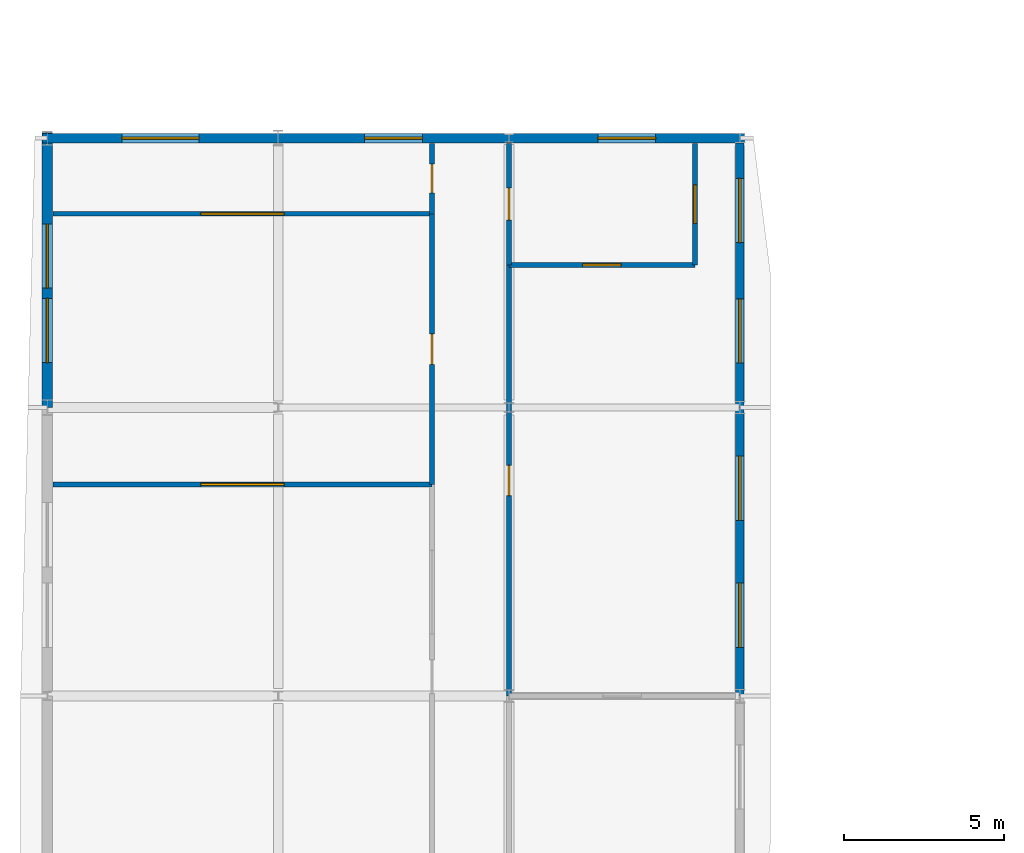
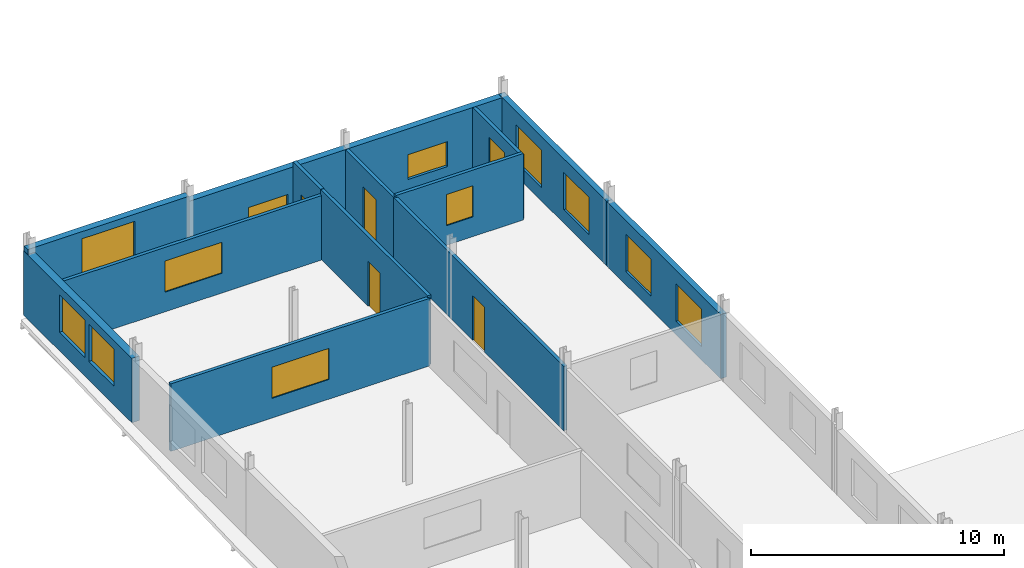
# One storey, part 65 of 78: 14 walls, 13 windows, 4 doors, 17 openings.
"""IFC4 building model written with IfcOpenShell, lengths in metres."""

import ifcopenshell
import ifcopenshell.guid

model = None  # the IFC model being written
_history = None  # IfcOwnerHistory: only IFC2X3 demands one
_inside = {}  # id of a spatial element -> (the spatial element, [elements in it])
_under = {}  # id of a project, library or spatial element -> (it, [spatial elements below it])
_declared = {}  # id of a project -> (the project, [libraries it declares])
_typed = {}  # id of a type object -> (the type object, [elements of that type])
_made_of = {}  # id of a material, layer set ... -> (it, [elements and type objects made of it])


def new_model(schema):
    """Start an empty IFC model of exactly this schema.

    Asked for "IFC4X3", IfcOpenShell would pick the latest addendum, in which some entities
    have other attributes; the version numbers below select the first issue.
    IFC2X3 requires an IfcOwnerHistory on every rooted entity: one is made here for all.
    """
    global model, _history
    if schema == "IFC4X3":
        model = ifcopenshell.file(schema_version=(4, 3, 0, 0))
    else:
        model = ifcopenshell.file(schema=schema)
    _inside.clear()
    _under.clear()
    _declared.clear()
    _typed.clear()
    _made_of.clear()
    _history = None
    if model.schema == "IFC2X3":
        org = make("IfcOrganization", Name="unknown")
        user = make(
            "IfcPersonAndOrganization",
            ThePerson=make("IfcPerson", FamilyName="unknown"),
            TheOrganization=org,
        )
        app = make(
            "IfcApplication",
            ApplicationDeveloper=org,
            Version="unknown",
            ApplicationFullName="unknown",
            ApplicationIdentifier="unknown",
        )
        _history = make(
            "IfcOwnerHistory",
            OwningUser=user,
            OwningApplication=app,
            ChangeAction="ADDED",
            CreationDate=0,
        )
    return model


def make(cls, **values):
    """One entity of the class cls with the attributes given. An attribute that is None is left unset."""
    return model.create_entity(
        cls, **{name: value for name, value in values.items() if value is not None}
    )


def rooted(cls, **values):
    """An entity with a GlobalId (a new one), such as an element, a storey or a relation."""
    return make(cls, GlobalId=ifcopenshell.guid.new(), OwnerHistory=_history, **values)


def si_unit(unit_type, name, prefix=None):
    """IfcSIUnit, for example si_unit("LENGTHUNIT", "METRE", prefix="MILLI")."""
    return make("IfcSIUnit", UnitType=unit_type, Prefix=prefix, Name=name)


def assignment(units):
    """IfcUnitAssignment: the units of a project."""
    return None if units is None else make("IfcUnitAssignment", Units=units)


def point(xyz):
    """IfcCartesianPoint."""
    return None if xyz is None else make("IfcCartesianPoint", Coordinates=xyz)


def direction(xyz):
    """IfcDirection."""
    return None if xyz is None else make("IfcDirection", DirectionRatios=xyz)


def frame(location, z_axis=None, x_axis=None):
    """IfcAxis2Placement3D, a coordinate frame: its origin and axes. An axis left out is left unset."""
    return make(
        "IfcAxis2Placement3D",
        Location=point(location),
        Axis=direction(z_axis),
        RefDirection=direction(x_axis),
    )


def frame_2d(location, x_axis=None):
    """IfcAxis2Placement2D, a coordinate frame in the plane: its origin and x axis."""
    return make(
        "IfcAxis2Placement2D", Location=point(location), RefDirection=direction(x_axis)
    )


def origin():
    """The frame at (0, 0, 0) with its axes left unset."""
    return frame((0.0, 0.0, 0.0))


def place(relative_to, where):
    """IfcLocalPlacement: puts the frame where relative to a parent placement (None: the world)."""
    return make(
        "IfcLocalPlacement", PlacementRelTo=relative_to, RelativePlacement=where
    )


def context(
    kind, dimensions, precision=None, world=None, true_north=None, identifier=None
):
    """IfcGeometricRepresentationContext, for example the 3D "Model" context."""
    return make(
        "IfcGeometricRepresentationContext",
        ContextIdentifier=identifier,
        ContextType=kind,
        CoordinateSpaceDimension=dimensions,
        Precision=precision,
        WorldCoordinateSystem=world,
        TrueNorth=true_north,
    )


def subcontext(parent, identifier, kind, view, scale=None):
    """IfcGeometricRepresentationSubContext, for example "Body" below "Model"."""
    return make(
        "IfcGeometricRepresentationSubContext",
        ContextIdentifier=identifier,
        ContextType=kind,
        ParentContext=parent,
        TargetScale=scale,
        TargetView=view,
    )


def project(units=None, contexts=None):
    """IfcProject with its units and contexts."""
    return rooted(
        "IfcProject",
        Name="project",
        RepresentationContexts=contexts,
        UnitsInContext=assignment(units),
    )


def spatial(cls, under=None, at=None, **own):
    """A site, building, storey or space (cls), placed at a placement, below another one or the project."""
    s = rooted(cls, ObjectPlacement=at, **own)
    if under is not None:
        _under.setdefault(under.id(), (under, []))[1].append(s)
    return s


def profile(cls, at=None, kind="AREA", **sizes):
    """A parametric profile (cls). Its sizes go by their IFC names, for example OverallWidth=200.0."""
    return make(cls, ProfileType=kind, Position=at, **sizes)


def rectangle(**sizes):
    """IfcRectangleProfileDef."""
    return profile("IfcRectangleProfileDef", **sizes)


def extrude(swept, where, along, depth):
    """IfcExtrudedAreaSolid: the profile swept, set in the frame where, extruded along a direction by depth."""
    return make(
        "IfcExtrudedAreaSolid",
        SweptArea=swept,
        Position=where,
        ExtrudedDirection=direction(along),
        Depth=depth,
    )


def shape(context_of_items, identifier, shape_type, items):
    """IfcShapeRepresentation: the items that make up one representation, for example the "Body"."""
    return make(
        "IfcShapeRepresentation",
        ContextOfItems=context_of_items,
        RepresentationIdentifier=identifier,
        RepresentationType=shape_type,
        Items=items,
    )


def material(Name=None, Category=None):
    """IfcMaterial."""
    return make("IfcMaterial", Name=Name, Category=Category)


def layer(
    of_material, thickness, ventilated=None, Name=None, Category=None, Priority=None
):
    """IfcMaterialLayer: one layer of a wall or slab, of a material (None: an air gap)."""
    return make(
        "IfcMaterialLayer",
        Material=of_material,
        LayerThickness=thickness,
        IsVentilated=ventilated,
        Name=Name,
        Category=Category,
        Priority=Priority,
    )


def layer_set(layers, Name=None):
    """IfcMaterialLayerSet."""
    return make("IfcMaterialLayerSet", MaterialLayers=layers, LayerSetName=Name)


def made_of(thing, what):
    """Note that an element or type object is made of a material, layer set ...; save() writes the relation."""
    if what is not None:
        _made_of.setdefault(what.id(), (what, []))[1].append(thing)
    return thing


def type_object(cls, material=None, **own):
    """A type object (cls), such as IfcWallType, which elements share."""
    return made_of(rooted(cls, **own), material)


def element(
    cls,
    number,
    at=None,
    inside=None,
    cuts=None,
    type_object=None,
    material=None,
    context=None,
    identifier="Body",
    shape_type=None,
    held_by="IfcProductDefinitionShape",
    body=None,
    shapes=None,
    **own,
):
    """One element of the class cls, such as IfcWall. Its Tag is "e" and its number.

    at: its placement. inside: the storey or other place that contains it. cuts: it is an
    opening in that element (IfcRelVoidsElement). A single representation is given by context,
    identifier, shape_type and body (its items); several are given by shapes. held_by: the class
    of the entity that holds the representations. save() writes the other relations.
    """
    e = rooted(cls, Tag="e%d" % number, ObjectPlacement=at, **own)
    if body is not None:
        shapes = [shape(context, identifier, shape_type, body)]
    if shapes is not None:
        e.Representation = make(held_by, Representations=shapes)
    if inside is not None:
        _inside.setdefault(inside.id(), (inside, []))[1].append(e)
    if cuts is not None:
        rooted(
            "IfcRelVoidsElement", RelatingBuildingElement=cuts, RelatedOpeningElement=e
        )
    if type_object is not None:
        _typed.setdefault(type_object.id(), (type_object, []))[1].append(e)
    return made_of(e, material)


def fill(opening, filler):
    """IfcRelFillsElement: the door or window that sits in an opening."""
    return rooted(
        "IfcRelFillsElement",
        RelatingOpeningElement=opening,
        RelatedBuildingElement=filler,
    )


def aggregate(whole, parts):
    """IfcRelAggregates: a whole, such as a stair, and the parts it consists of."""
    return rooted("IfcRelAggregates", RelatingObject=whole, RelatedObjects=parts)


def save(model, path):
    """Write the relations noted so far, then the file.

    IfcRelAggregates (storeys below a building ...), IfcRelContainedInSpatialStructure (elements
    in a storey), IfcRelDefinesByType, IfcRelAssociatesMaterial and IfcRelDeclares: one each for
    every whole, place, type object, material and project.
    """
    for whole, parts in _under.values():
        aggregate(whole, parts)
    for where, things in _inside.values():
        rooted(
            "IfcRelContainedInSpatialStructure",
            RelatedElements=things,
            RelatingStructure=where,
        )
    for kind, things in _typed.values():
        rooted("IfcRelDefinesByType", RelatedObjects=things, RelatingType=kind)
    for what, things in _made_of.values():
        rooted("IfcRelAssociatesMaterial", RelatedObjects=things, RelatingMaterial=what)
    for by, libraries in _declared.values():
        rooted("IfcRelDeclares", RelatingContext=by, RelatedDefinitions=libraries)
    model.write(path)


model = new_model("IFC4")

# Units and contexts
model_context = context("Model", 3, precision=1e-05, world=origin(), true_north=direction((0.0, 1.0)))
body_context = subcontext(model_context, "Body", "Model", "MODEL_VIEW")
ifc_project = project(units=[si_unit("LENGTHUNIT", "METRE"), si_unit("AREAUNIT", "SQUARE_METRE"), si_unit("VOLUMEUNIT", "CUBIC_METRE"), si_unit("PLANEANGLEUNIT", "RADIAN"), si_unit("MASSUNIT", "GRAM", prefix="KILO")], contexts=[model_context])

# Site, building, storey
site_placement = place(None, origin())
site = spatial("IfcSite", under=ifc_project, at=site_placement, CompositionType="ELEMENT")
building_placement = place(site_placement, origin())
building = spatial("IfcBuilding", under=site, at=building_placement, Name="Vinh Khe Railworks Police Headquarters", CompositionType="ELEMENT")
storey_placement = place(building_placement, frame((0.0, 0.0, 13.199951171875)))
storey = spatial("IfcBuildingStorey", under=building, at=storey_placement, Name="L03", CompositionType="ELEMENT", Elevation=13.199951171875)

# Wall, openings, windows
ifc_material_1 = material(Name="Clay brickwork", Category="masonry")
ifc_layer_1 = layer(ifc_material_1, 0.260009765625)
ifc_layer_set_1 = layer_set([ifc_layer_1], Name="Clay brickwork")
wall_type_1 = type_object("IfcWallType", Name="EW-BRK-260", PredefinedType="SOLIDWALL", material=ifc_layer_set_1)
wall_1_placement = place(storey_placement, frame((22.199951171875, 113.39990234375, 0.0), z_axis=(0.0, 0.0, 1.0), x_axis=(0.0, 1.0, 0.0)))
wall_1 = element("IfcWall", 1, at=wall_1_placement, inside=storey, type_object=wall_type_1, Name="Exterior Brick Wall EW-L03-V5E-15", PredefinedType="SOLIDWALL", context=body_context, shape_type="SweptSolid", body=[
    extrude(rectangle(XDim=9.0, YDim=0.260009765625, at=frame_2d((4.5, 0.0))), origin(), (0.0, 0.0, 1.0), 3.10498046875),
])
opening_1_placement = place(wall_1_placement, frame((1.52001953125, 0.0, 0.64990234375)))
opening_1 = element("IfcOpeningElement", 2, at=opening_1_placement, cuts=wall_1, Name="Opening WN-04", PredefinedType="OPENING", context=body_context, shape_type="SweptSolid", body=[
    extrude(rectangle(XDim=2.0, YDim=1.800048828125, at=frame_2d((1.0, 0.89990234375))), frame((0.0, 0.14501953125, 0.0), z_axis=(0.0, -1.0, 0.0), x_axis=(1.0, 0.0, 0.0)), (0.0, 0.0, 1.0), 0.289794921875),
])
opening_2_placement = place(wall_1_placement, frame((5.47998046875, 0.0, 0.64990234375)))
opening_2 = element("IfcOpeningElement", 3, at=opening_2_placement, cuts=wall_1, Name="Opening WN-04", PredefinedType="OPENING", context=body_context, shape_type="SweptSolid", body=[
    extrude(rectangle(XDim=2.0, YDim=1.800048828125, at=frame_2d((1.0, 0.89990234375))), frame((0.0, 0.14501953125, 0.0), z_axis=(0.0, -1.0, 0.0), x_axis=(1.0, 0.0, 0.0)), (0.0, 0.0, 1.0), 0.289794921875),
])
ifc_material_2 = material(Name="Double-glazed solar-control glass in dark steel frame", Category="steel")
window_type_1 = type_object("IfcWindowType", Name="WIN-WN-04", PartitioningType="DOUBLE_PANEL_VERTICAL", PredefinedType="WINDOW", material=ifc_material_2)
window_1_placement = place(opening_1_placement, origin())
window_1 = element("IfcWindow", 4, at=window_1_placement, inside=storey, type_object=window_type_1, Name="Casement Window WN-04", OverallHeight=1.800048828125, OverallWidth=2.0, PartitioningType="SINGLE_PANEL", PredefinedType="WINDOW", context=body_context, shape_type="SweptSolid", body=[
    extrude(rectangle(XDim=2.0, YDim=1.800048828125, at=frame_2d((1.0, 0.89990234375))), frame((0.0, 0.030029296875, 0.0), z_axis=(0.0, -1.0, 0.0), x_axis=(1.0, 0.0, 0.0)), (0.0, 0.0, 1.0), 0.06005859375),
])
fill(opening_1, window_1)
window_2_placement = place(opening_2_placement, origin())
window_2 = element("IfcWindow", 5, at=window_2_placement, inside=storey, type_object=window_type_1, Name="Casement Window WN-04", OverallHeight=1.800048828125, OverallWidth=2.0, PartitioningType="SINGLE_PANEL", PredefinedType="WINDOW", context=body_context, shape_type="SweptSolid", body=[
    extrude(rectangle(XDim=2.0, YDim=1.800048828125, at=frame_2d((1.0, 0.89990234375))), frame((0.0, 0.030029296875, 0.0), z_axis=(0.0, -1.0, 0.0), x_axis=(1.0, 0.0, 0.0)), (0.0, 0.0, 1.0), 0.06005859375),
])
fill(opening_2, window_2)

wall_2_placement = place(storey_placement, frame((22.199951171875, 122.39990234375, 0.0), z_axis=(0.0, 0.0, 1.0), x_axis=(0.0, 1.0, 0.0)))
wall_2 = element("IfcWall", 6, at=wall_2_placement, inside=storey, type_object=wall_type_1, Name="Exterior Brick Wall EW-L03-V5E-16", PredefinedType="SOLIDWALL", context=body_context, shape_type="SweptSolid", body=[
    extrude(rectangle(XDim=8.530029296875, YDim=0.260009765625, at=frame_2d((4.26513671875, 0.0))), origin(), (0.0, 0.0, 1.0), 3.10498046875),
])
opening_3_placement = place(wall_2_placement, frame((1.388427734375, 0.0, 0.64990234375)))
opening_3 = element("IfcOpeningElement", 7, at=opening_3_placement, cuts=wall_2, Name="Opening WN-04", PredefinedType="OPENING", context=body_context, shape_type="SweptSolid", body=[
    extrude(rectangle(XDim=2.0, YDim=1.800048828125, at=frame_2d((1.0, 0.89990234375))), frame((0.0, 0.14501953125, 0.0), z_axis=(0.0, -1.0, 0.0), x_axis=(1.0, 0.0, 0.0)), (0.0, 0.0, 1.0), 0.289794921875),
])
opening_4_placement = place(wall_2_placement, frame((5.1416015625, 0.0, 0.64990234375)))
opening_4 = element("IfcOpeningElement", 8, at=opening_4_placement, cuts=wall_2, Name="Opening WN-04", PredefinedType="OPENING", context=body_context, shape_type="SweptSolid", body=[
    extrude(rectangle(XDim=2.0, YDim=1.800048828125, at=frame_2d((1.0, 0.89990234375))), frame((0.0, 0.14501953125, 0.0), z_axis=(0.0, -1.0, 0.0), x_axis=(1.0, 0.0, 0.0)), (0.0, 0.0, 1.0), 0.289794921875),
])
window_3_placement = place(opening_3_placement, origin())
window_3 = element("IfcWindow", 9, at=window_3_placement, inside=storey, type_object=window_type_1, Name="Casement Window WN-04", OverallHeight=1.800048828125, OverallWidth=2.0, PartitioningType="SINGLE_PANEL", PredefinedType="WINDOW", context=body_context, shape_type="SweptSolid", body=[
    extrude(rectangle(XDim=2.0, YDim=1.800048828125, at=frame_2d((1.0, 0.89990234375))), frame((0.0, 0.030029296875, 0.0), z_axis=(0.0, -1.0, 0.0), x_axis=(1.0, 0.0, 0.0)), (0.0, 0.0, 1.0), 0.06005859375),
])
fill(opening_3, window_3)
window_4_placement = place(opening_4_placement, origin())
window_4 = element("IfcWindow", 10, at=window_4_placement, inside=storey, type_object=window_type_1, Name="Casement Window WN-04", OverallHeight=1.800048828125, OverallWidth=2.0, PartitioningType="SINGLE_PANEL", PredefinedType="WINDOW", context=body_context, shape_type="SweptSolid", body=[
    extrude(rectangle(XDim=2.0, YDim=1.800048828125, at=frame_2d((1.0, 0.89990234375))), frame((0.0, 0.030029296875, 0.0), z_axis=(0.0, -1.0, 0.0), x_axis=(1.0, 0.0, 0.0)), (0.0, 0.0, 1.0), 0.06005859375),
])
fill(opening_4, window_4)

# Wall, opening, window
ifc_layer_2 = layer(ifc_material_1, 0.300048828125)
ifc_layer_set_2 = layer_set([ifc_layer_2], Name="Clay brickwork")
wall_type_2 = type_object("IfcWallType", Name="EW-BRK-300", PredefinedType="SOLIDWALL", material=ifc_layer_set_2)
wall_3_placement = place(storey_placement, frame((0.449951171875, 130.800048828125, 0.0), z_axis=(0.0, 0.0, 1.0), x_axis=(1.0, 0.0, 0.0)))
wall_3 = element("IfcWall", 11, at=wall_3_placement, inside=storey, type_object=wall_type_2, Name="Exterior Brick Wall EW-L03-V5N-01", PredefinedType="SOLIDWALL", context=body_context, shape_type="SweptSolid", body=[
    extrude(rectangle(XDim=7.35009765625, YDim=0.300048828125, at=frame_2d((3.675048828125, 0.0))), origin(), (0.0, 0.0, 1.0), 3.344970703125),
])
opening_5_placement = place(wall_3_placement, frame((2.47509765625, 0.0, 0.89990234375)))
opening_5 = element("IfcOpeningElement", 12, at=opening_5_placement, cuts=wall_3, Name="Opening WN-02", PredefinedType="OPENING", context=body_context, shape_type="SweptSolid", body=[
    extrude(rectangle(XDim=2.39990234375, YDim=2.10009765625, at=frame_2d((1.199951171875, 1.050048828125))), frame((0.0, 0.1650390625, 0.0), z_axis=(0.0, -1.0, 0.0), x_axis=(1.0, 0.0, 0.0)), (0.0, 0.0, 1.0), 0.329833984375),
])
window_type_2 = type_object("IfcWindowType", Name="WIN-WN-02", PartitioningType="DOUBLE_PANEL_VERTICAL", PredefinedType="WINDOW", material=ifc_material_2)
window_5_placement = place(opening_5_placement, origin())
window_5 = element("IfcWindow", 13, at=window_5_placement, inside=storey, type_object=window_type_2, Name="Casement Window WN-02", OverallHeight=2.10009765625, OverallWidth=2.39990234375, PartitioningType="SINGLE_PANEL", PredefinedType="WINDOW", context=body_context, shape_type="SweptSolid", body=[
    extrude(rectangle(XDim=2.39990234375, YDim=2.10009765625, at=frame_2d((1.199951171875, 1.050048828125))), frame((0.0, 0.030029296875, 0.0), z_axis=(0.0, -1.0, 0.0), x_axis=(1.0, 0.0, 0.0)), (0.0, 0.0, 1.0), 0.06005859375),
])
fill(opening_5, window_5)

wall_4_placement = place(storey_placement, frame((7.800048828125, 130.800048828125, 0.0), z_axis=(0.0, 0.0, 1.0), x_axis=(1.0, 0.0, 0.0)))
wall_4 = element("IfcWall", 14, at=wall_4_placement, inside=storey, type_object=wall_type_2, Name="Exterior Brick Wall EW-L03-V5N-02", PredefinedType="SOLIDWALL", context=body_context, shape_type="SweptSolid", body=[
    extrude(rectangle(XDim=7.199951171875, YDim=0.300048828125, at=frame_2d((3.60009765625, 0.0))), origin(), (0.0, 0.0, 1.0), 3.094970703125),
])
opening_6_placement = place(wall_4_placement, frame((2.699951171875, 0.0, 0.64990234375)))
opening_6 = element("IfcOpeningElement", 15, at=opening_6_placement, cuts=wall_4, Name="Opening WN-08", PredefinedType="OPENING", context=body_context, shape_type="SweptSolid", body=[
    extrude(rectangle(XDim=1.800048828125, YDim=1.199951171875, at=frame_2d((0.89990234375, 0.60009765625))), frame((0.0, 0.1650390625, 0.0), z_axis=(0.0, -1.0, 0.0), x_axis=(1.0, 0.0, 0.0)), (0.0, 0.0, 1.0), 0.329833984375),
])
window_type_3 = type_object("IfcWindowType", Name="WIN-WN-08", PartitioningType="SINGLE_PANEL", PredefinedType="WINDOW", material=ifc_material_2)
window_6_placement = place(opening_6_placement, origin())
window_6 = element("IfcWindow", 16, at=window_6_placement, inside=storey, type_object=window_type_3, Name="Casement Window WN-08", OverallHeight=1.199951171875, OverallWidth=1.800048828125, PartitioningType="SINGLE_PANEL", PredefinedType="WINDOW", context=body_context, shape_type="SweptSolid", body=[
    extrude(rectangle(XDim=1.800048828125, YDim=1.199951171875, at=frame_2d((0.89990234375, 0.60009765625))), frame((0.0, 0.030029296875, 0.0), z_axis=(0.0, -1.0, 0.0), x_axis=(1.0, 0.0, 0.0)), (0.0, 0.0, 1.0), 0.06005859375),
])
fill(opening_6, window_6)

wall_5_placement = place(storey_placement, frame((15.0, 130.800048828125, 0.0), z_axis=(0.0, 0.0, 1.0), x_axis=(1.0, 0.0, 0.0)))
wall_5 = element("IfcWall", 17, at=wall_5_placement, inside=storey, type_object=wall_type_2, Name="Exterior Brick Wall EW-L03-V5N-03", PredefinedType="SOLIDWALL", context=body_context, shape_type="SweptSolid", body=[
    extrude(rectangle(XDim=7.35009765625, YDim=0.300048828125, at=frame_2d((3.675048828125, 0.0))), origin(), (0.0, 0.0, 1.0), 3.094970703125),
])
opening_7_placement = place(wall_5_placement, frame((2.77490234375, 0.0, 0.64990234375)))
opening_7 = element("IfcOpeningElement", 18, at=opening_7_placement, cuts=wall_5, Name="Opening WN-08", PredefinedType="OPENING", context=body_context, shape_type="SweptSolid", body=[
    extrude(rectangle(XDim=1.800048828125, YDim=1.199951171875, at=frame_2d((0.89990234375, 0.60009765625))), frame((0.0, 0.1650390625, 0.0), z_axis=(0.0, -1.0, 0.0), x_axis=(1.0, 0.0, 0.0)), (0.0, 0.0, 1.0), 0.329833984375),
])
window_7_placement = place(opening_7_placement, origin())
window_7 = element("IfcWindow", 19, at=window_7_placement, inside=storey, type_object=window_type_3, Name="Casement Window WN-08", OverallHeight=1.199951171875, OverallWidth=1.800048828125, PartitioningType="SINGLE_PANEL", PredefinedType="WINDOW", context=body_context, shape_type="SweptSolid", body=[
    extrude(rectangle(XDim=1.800048828125, YDim=1.199951171875, at=frame_2d((0.89990234375, 0.60009765625))), frame((0.0, 0.030029296875, 0.0), z_axis=(0.0, -1.0, 0.0), x_axis=(1.0, 0.0, 0.0)), (0.0, 0.0, 1.0), 0.06005859375),
])
fill(opening_7, window_7)

# Wall, openings, windows
ifc_layer_3 = layer(ifc_material_1, 0.340087890625)
ifc_layer_set_3 = layer_set([ifc_layer_3], Name="Clay brickwork")
wall_type_3 = type_object("IfcWallType", Name="EW-BRK-340", PredefinedType="SOLIDWALL", material=ifc_layer_set_3)
wall_6_placement = place(storey_placement, frame((0.60009765625, 122.39990234375, 0.0), z_axis=(0.0, 0.0, 1.0), x_axis=(0.0, 1.0, 0.0)))
wall_6 = element("IfcWall", 20, at=wall_6_placement, inside=storey, type_object=wall_type_3, Name="Exterior Brick Wall EW-L03-V5W-16", PredefinedType="SOLIDWALL", context=body_context, shape_type="SweptSolid", body=[
    extrude(rectangle(XDim=8.570068359375, YDim=0.340087890625, at=frame_2d((4.28515625, 0.0))), origin(), (0.0, 0.0, 1.0), 3.10498046875),
])
opening_8_placement = place(wall_6_placement, frame((1.399658203125, 0.0, 0.89990234375)))
opening_8 = element("IfcOpeningElement", 21, at=opening_8_placement, cuts=wall_6, Name="Opening WN-04", PredefinedType="OPENING", context=body_context, shape_type="SweptSolid", body=[
    extrude(rectangle(XDim=2.0, YDim=1.800048828125, at=frame_2d((1.0, 0.89990234375))), frame((0.0, 0.18505859375, 0.0), z_axis=(0.0, -1.0, 0.0), x_axis=(1.0, 0.0, 0.0)), (0.0, 0.0, 1.0), 0.369873046875),
])
opening_9_placement = place(wall_6_placement, frame((3.720458984375, 0.0, 0.89990234375)))
opening_9 = element("IfcOpeningElement", 22, at=opening_9_placement, cuts=wall_6, Name="Opening WN-04", PredefinedType="OPENING", context=body_context, shape_type="SweptSolid", body=[
    extrude(rectangle(XDim=2.0, YDim=1.800048828125, at=frame_2d((1.0, 0.89990234375))), frame((0.0, 0.18505859375, 0.0), z_axis=(0.0, -1.0, 0.0), x_axis=(1.0, 0.0, 0.0)), (0.0, 0.0, 1.0), 0.369873046875),
])
window_8_placement = place(opening_8_placement, origin())
window_8 = element("IfcWindow", 23, at=window_8_placement, inside=storey, type_object=window_type_1, Name="Casement Window WN-04", OverallHeight=1.800048828125, OverallWidth=2.0, PartitioningType="SINGLE_PANEL", PredefinedType="WINDOW", context=body_context, shape_type="SweptSolid", body=[
    extrude(rectangle(XDim=2.0, YDim=1.800048828125, at=frame_2d((1.0, 0.89990234375))), frame((0.0, 0.030029296875, 0.0), z_axis=(0.0, -1.0, 0.0), x_axis=(1.0, 0.0, 0.0)), (0.0, 0.0, 1.0), 0.06005859375),
])
fill(opening_8, window_8)
window_9_placement = place(opening_9_placement, origin())
window_9 = element("IfcWindow", 24, at=window_9_placement, inside=storey, type_object=window_type_1, Name="Casement Window WN-04", OverallHeight=1.800048828125, OverallWidth=2.0, PartitioningType="SINGLE_PANEL", PredefinedType="WINDOW", context=body_context, shape_type="SweptSolid", body=[
    extrude(rectangle(XDim=2.0, YDim=1.800048828125, at=frame_2d((1.0, 0.89990234375))), frame((0.0, 0.030029296875, 0.0), z_axis=(0.0, -1.0, 0.0), x_axis=(1.0, 0.0, 0.0)), (0.0, 0.0, 1.0), 0.06005859375),
])
fill(opening_9, window_9)

# Wall, opening, window
ifc_material_3 = material(Name="Gypsum plasterboard on steel stud", Category="steel")
ifc_layer_4 = layer(ifc_material_3, 0.1201171875)
ifc_layer_set_4 = layer_set([ifc_layer_4], Name="Gypsum plasterboard on steel stud")
wall_type_4 = type_object("IfcWallType", Name="IW-PART-120", PredefinedType="PARTITIONING", material=ifc_layer_set_4)
wall_7_placement = place(storey_placement, frame((0.780029296875, 128.43994140625, 0.0), z_axis=(0.0, 0.0, 1.0), x_axis=(1.0, 0.0, 0.0)))
wall_7 = element("IfcWall", 25, at=wall_7_placement, inside=storey, type_object=wall_type_4, Name="Interior Partition W-L03-V5-WCL3S-DIV", PredefinedType="PARTITIONING", context=body_context, shape_type="SweptSolid", body=[
    extrude(rectangle(XDim=11.820068359375, YDim=0.14990234375, at=frame_2d((5.91015625, 0.0))), origin(), (0.0, 0.0, 1.0), 3.10498046875),
])
opening_10_placement = place(wall_7_placement, frame((4.610107421875, 0.0, 0.949951171875)))
opening_10 = element("IfcOpeningElement", 26, at=opening_10_placement, cuts=wall_7, Name="Opening WN-07", PredefinedType="OPENING", context=body_context, shape_type="SweptSolid", body=[
    extrude(rectangle(XDim=2.60009765625, YDim=1.5, at=frame_2d((1.300048828125, 0.75))), frame((0.0, 0.08984375, 0.0), z_axis=(0.0, -1.0, 0.0), x_axis=(1.0, 0.0, 0.0)), (0.0, 0.0, 1.0), 0.1796875),
])
window_type_4 = type_object("IfcWindowType", Name="WIN-WN-07", PartitioningType="DOUBLE_PANEL_HORIZONTAL", PredefinedType="WINDOW", material=ifc_material_2)
window_10_placement = place(opening_10_placement, origin())
window_10 = element("IfcWindow", 27, at=window_10_placement, inside=storey, type_object=window_type_4, Name="Interior Acoustic Vision Window WN-07", OverallHeight=1.5, OverallWidth=2.60009765625, PartitioningType="SINGLE_PANEL", PredefinedType="WINDOW", context=body_context, shape_type="SweptSolid", body=[
    extrude(rectangle(XDim=2.60009765625, YDim=1.5, at=frame_2d((1.300048828125, 0.75))), frame((0.0, 0.030029296875, 0.0), z_axis=(0.0, -1.0, 0.0), x_axis=(1.0, 0.0, 0.0)), (0.0, 0.0, 1.0), 0.06005859375),
])
fill(opening_10, window_10)

wall_8_placement = place(storey_placement, frame((0.780029296875, 120.0, 0.0), z_axis=(0.0, 0.0, 1.0), x_axis=(1.0, 0.0, 0.0)))
wall_8 = element("IfcWall", 28, at=wall_8_placement, inside=storey, type_object=wall_type_4, Name="Interior Partition W-L03-V5-WCL3-DIV", PredefinedType="PARTITIONING", context=body_context, shape_type="SweptSolid", body=[
    extrude(rectangle(XDim=11.820068359375, YDim=0.14990234375, at=frame_2d((5.91015625, 0.0))), origin(), (0.0, 0.0, 1.0), 3.255126953125),
])
opening_11_placement = place(wall_8_placement, frame((4.610107421875, 0.0, 0.949951171875)))
opening_11 = element("IfcOpeningElement", 29, at=opening_11_placement, cuts=wall_8, Name="Opening WN-07", PredefinedType="OPENING", context=body_context, shape_type="SweptSolid", body=[
    extrude(rectangle(XDim=2.60009765625, YDim=1.5, at=frame_2d((1.300048828125, 0.75))), frame((0.0, 0.08984375, 0.0), z_axis=(0.0, -1.0, 0.0), x_axis=(1.0, 0.0, 0.0)), (0.0, 0.0, 1.0), 0.1796875),
])
window_11_placement = place(opening_11_placement, origin())
window_11 = element("IfcWindow", 30, at=window_11_placement, inside=storey, type_object=window_type_4, Name="Interior Acoustic Vision Window WN-07", OverallHeight=1.5, OverallWidth=2.60009765625, PartitioningType="SINGLE_PANEL", PredefinedType="WINDOW", context=body_context, shape_type="SweptSolid", body=[
    extrude(rectangle(XDim=2.60009765625, YDim=1.5, at=frame_2d((1.300048828125, 0.75))), frame((0.0, 0.030029296875, 0.0), z_axis=(0.0, -1.0, 0.0), x_axis=(1.0, 0.0, 0.0)), (0.0, 0.0, 1.0), 0.06005859375),
])
fill(opening_11, window_11)

wall_9_placement = place(storey_placement, frame((15.0, 126.846923828125, 0.0), z_axis=(0.0, 0.0, 1.0), x_axis=(1.0, 0.0, 0.0)))
wall_9 = element("IfcWall", 31, at=wall_9_placement, inside=storey, type_object=wall_type_4, Name="Interior Partition W-L03-V5-AWCL3S-DIV", PredefinedType="PARTITIONING", context=body_context, shape_type="SweptSolid", body=[
    extrude(rectangle(XDim=5.800048828125, YDim=0.14990234375, at=frame_2d((2.89990234375, 0.0))), origin(), (0.0, 0.0, 1.0), 3.205078125),
])
opening_12_placement = place(wall_9_placement, frame((2.300048828125, 0.0, 0.949951171875)))
opening_12 = element("IfcOpeningElement", 32, at=opening_12_placement, cuts=wall_9, Name="Opening WN-10", PredefinedType="OPENING", context=body_context, shape_type="SweptSolid", body=[
    extrude(rectangle(XDim=1.199951171875, YDim=1.5, at=frame_2d((0.60009765625, 0.75))), frame((0.0, 0.08984375, 0.0), z_axis=(0.0, -1.0, 0.0), x_axis=(1.0, 0.0, 0.0)), (0.0, 0.0, 1.0), 0.1796875),
])
window_type_5 = type_object("IfcWindowType", Name="WIN-WN-10", PartitioningType="SINGLE_PANEL", PredefinedType="WINDOW", material=ifc_material_2)
window_12_placement = place(opening_12_placement, origin())
window_12 = element("IfcWindow", 33, at=window_12_placement, inside=storey, type_object=window_type_5, Name="Interior Acoustic Vision Window WN-10", OverallHeight=1.5, OverallWidth=1.199951171875, PartitioningType="SINGLE_PANEL", PredefinedType="WINDOW", context=body_context, shape_type="SweptSolid", body=[
    extrude(rectangle(XDim=1.199951171875, YDim=1.5, at=frame_2d((0.60009765625, 0.75))), frame((0.0, 0.030029296875, 0.0), z_axis=(0.0, -1.0, 0.0), x_axis=(1.0, 0.0, 0.0)), (0.0, 0.0, 1.0), 0.06005859375),
])
fill(opening_12, window_12)

wall_10_placement = place(storey_placement, frame((20.800048828125, 126.846923828125, 0.0), z_axis=(0.0, 0.0, 1.0), x_axis=(0.0, 1.0, 0.0)))
wall_10 = element("IfcWall", 34, at=wall_10_placement, inside=storey, type_object=wall_type_4, Name="Interior Partition W-L03-V5-AWCL3-REAR", PredefinedType="PARTITIONING", context=body_context, shape_type="SweptSolid", body=[
    extrude(rectangle(XDim=3.79296875, YDim=0.14990234375, at=frame_2d((1.896484375, 0.0))), origin(), (0.0, 0.0, 1.0), 3.094970703125),
])
opening_13_placement = place(wall_10_placement, frame((1.29638671875, 0.0, 0.949951171875)))
opening_13 = element("IfcOpeningElement", 35, at=opening_13_placement, cuts=wall_10, Name="Opening WN-10", PredefinedType="OPENING", context=body_context, shape_type="SweptSolid", body=[
    extrude(rectangle(XDim=1.199951171875, YDim=1.5, at=frame_2d((0.60009765625, 0.75))), frame((0.0, 0.08984375, 0.0), z_axis=(0.0, -1.0, 0.0), x_axis=(1.0, 0.0, 0.0)), (0.0, 0.0, 1.0), 0.1796875),
])
window_13_placement = place(opening_13_placement, origin())
window_13 = element("IfcWindow", 36, at=window_13_placement, inside=storey, type_object=window_type_5, Name="Interior Acoustic Vision Window WN-10", OverallHeight=1.5, OverallWidth=1.199951171875, PartitioningType="SINGLE_PANEL", PredefinedType="WINDOW", context=body_context, shape_type="SweptSolid", body=[
    extrude(rectangle(XDim=1.199951171875, YDim=1.5, at=frame_2d((0.60009765625, 0.75))), frame((0.0, 0.030029296875, 0.0), z_axis=(0.0, -1.0, 0.0), x_axis=(1.0, 0.0, 0.0)), (0.0, 0.0, 1.0), 0.06005859375),
])
fill(opening_13, window_13)

# Wall, opening, door
ifc_material_4 = material(Name="Gypsum plasterboard on acoustic steel stud", Category="steel")
ifc_layer_5 = layer(ifc_material_4, 0.14990234375)
ifc_layer_set_5 = layer_set([ifc_layer_5], Name="Gypsum plasterboard on acoustic steel stud")
wall_type_5 = type_object("IfcWallType", Name="IW-PART-150", PredefinedType="PARTITIONING", material=ifc_layer_set_5)
wall_11_placement = place(storey_placement, frame((12.60009765625, 120.0, 0.0), z_axis=(0.0, 0.0, 1.0), x_axis=(0.0, 1.0, 0.0)))
wall_11 = element("IfcWall", 37, at=wall_11_placement, inside=storey, type_object=wall_type_5, Name="Interior Partition W-L03-V5-WCL3S-CW", PredefinedType="PARTITIONING", context=body_context, shape_type="SweptSolid", body=[
    extrude(rectangle(XDim=8.43994140625, YDim=0.14990234375, at=frame_2d((4.219970703125, 0.0))), origin(), (0.0, 0.0, 1.0), 3.344970703125),
])
opening_14_placement = place(wall_11_placement, frame((3.7451171875, 0.0, 0.0)))
opening_14 = element("IfcOpeningElement", 38, at=opening_14_placement, cuts=wall_11, Name="Opening D-01", PredefinedType="OPENING", context=body_context, shape_type="SweptSolid", body=[
    extrude(rectangle(XDim=0.949951171875, YDim=2.14990234375, at=frame_2d((0.47509765625, 1.074951171875))), frame((0.0, 0.08984375, 0.0), z_axis=(0.0, -1.0, 0.0), x_axis=(1.0, 0.0, 0.0)), (0.0, 0.0, 1.0), 0.1796875),
])
ifc_material_5 = material(Name="Seasoned hardwood timber", Category="wood")
door_type_1 = type_object("IfcDoorType", Name="ID-950x2150", OperationType="NOTDEFINED", PredefinedType="DOOR", material=ifc_material_5)
door_1_placement = place(opening_14_placement, origin())
door_1 = element("IfcDoor", 39, at=door_1_placement, inside=storey, type_object=door_type_1, Name="Floor Supplies Store Door", OperationType="SINGLE_SWING_LEFT", OverallHeight=2.14990234375, OverallWidth=0.949951171875, PredefinedType="DOOR", context=body_context, shape_type="SweptSolid", body=[
    extrude(rectangle(XDim=0.949951171875, YDim=2.14990234375, at=frame_2d((0.47509765625, 1.074951171875))), frame((0.0, 0.02490234375, 0.0), z_axis=(0.0, -1.0, 0.0), x_axis=(1.0, 0.0, 0.0)), (0.0, 0.0, 1.0), 0.050048828125),
])
fill(opening_14, door_1)

wall_12_placement = place(storey_placement, frame((12.60009765625, 128.43994140625, 0.0), z_axis=(0.0, 0.0, 1.0), x_axis=(0.0, 1.0, 0.0)))
wall_12 = element("IfcWall", 40, at=wall_12_placement, inside=storey, type_object=wall_type_5, Name="Interior Partition W-L03-V5-WCL3-CW", PredefinedType="PARTITIONING", context=body_context, shape_type="SweptSolid", body=[
    extrude(rectangle(XDim=2.199951171875, YDim=0.14990234375, at=frame_2d((1.10009765625, 0.0))), origin(), (0.0, 0.0, 1.0), 3.364990234375),
])
opening_15_placement = place(wall_12_placement, frame((0.64990234375, 0.0, 0.0)))
opening_15 = element("IfcOpeningElement", 41, at=opening_15_placement, cuts=wall_12, Name="Opening D-04", PredefinedType="OPENING", context=body_context, shape_type="SweptSolid", body=[
    extrude(rectangle(XDim=0.89990234375, YDim=2.14990234375, at=frame_2d((0.449951171875, 1.074951171875))), frame((0.0, 0.08984375, 0.0), z_axis=(0.0, -1.0, 0.0), x_axis=(1.0, 0.0, 0.0)), (0.0, 0.0, 1.0), 0.1796875),
])
door_type_2 = type_object("IfcDoorType", Name="ID-900x2150", OperationType="NOTDEFINED", PredefinedType="DOOR", material=ifc_material_5)
door_2_placement = place(opening_15_placement, origin())
door_2 = element("IfcDoor", 42, at=door_2_placement, inside=storey, type_object=door_type_2, Name="Staff WC L03 Door", OperationType="SINGLE_SWING_RIGHT", OverallHeight=2.14990234375, OverallWidth=0.89990234375, PredefinedType="DOOR", context=body_context, shape_type="SweptSolid", body=[
    extrude(rectangle(XDim=0.89990234375, YDim=2.14990234375, at=frame_2d((0.449951171875, 1.074951171875))), frame((0.0, 0.02490234375, 0.0), z_axis=(0.0, -1.0, 0.0), x_axis=(1.0, 0.0, 0.0)), (0.0, 0.0, 1.0), 0.050048828125),
])
fill(opening_15, door_2)

wall_13_placement = place(storey_placement, frame((15.0, 113.39990234375, 0.0), z_axis=(0.0, 0.0, 1.0), x_axis=(0.0, 1.0, 0.0)))
wall_13 = element("IfcWall", 43, at=wall_13_placement, inside=storey, type_object=wall_type_5, Name="Interior Partition W-L03-V5-AWCL3S-CE", PredefinedType="PARTITIONING", context=body_context, shape_type="SweptSolid", body=[
    extrude(rectangle(XDim=13.447021484375, YDim=0.14990234375, at=frame_2d((6.7236328125, 0.0))), origin(), (0.0, 0.0, 1.0), 3.10498046875),
])
opening_16_placement = place(wall_13_placement, frame((6.248046875, 0.0, 0.0)))
opening_16 = element("IfcOpeningElement", 44, at=opening_16_placement, cuts=wall_13, Name="Opening D-01", PredefinedType="OPENING", context=body_context, shape_type="SweptSolid", body=[
    extrude(rectangle(XDim=0.949951171875, YDim=2.14990234375, at=frame_2d((0.47509765625, 1.074951171875))), frame((0.0, 0.08984375, 0.0), z_axis=(0.0, -1.0, 0.0), x_axis=(1.0, 0.0, 0.0)), (0.0, 0.0, 1.0), 0.1796875),
])
door_3_placement = place(opening_16_placement, origin())
door_3 = element("IfcDoor", 45, at=door_3_placement, inside=storey, type_object=door_type_1, Name="Floor Supplies Store Door", OperationType="SINGLE_SWING_RIGHT", OverallHeight=2.14990234375, OverallWidth=0.949951171875, PredefinedType="DOOR", context=body_context, shape_type="SweptSolid", body=[
    extrude(rectangle(XDim=0.949951171875, YDim=2.14990234375, at=frame_2d((0.47509765625, 1.074951171875))), frame((0.0, 0.02490234375, 0.0), z_axis=(0.0, -1.0, 0.0), x_axis=(1.0, 0.0, 0.0)), (0.0, 0.0, 1.0), 0.050048828125),
])
fill(opening_16, door_3)

wall_14_placement = place(storey_placement, frame((15.0, 126.846923828125, 0.0), z_axis=(0.0, 0.0, 1.0), x_axis=(0.0, 1.0, 0.0)))
wall_14 = element("IfcWall", 46, at=wall_14_placement, inside=storey, type_object=wall_type_5, Name="Interior Partition W-L03-V5-AWCL3-CE", PredefinedType="PARTITIONING", context=body_context, shape_type="SweptSolid", body=[
    extrude(rectangle(XDim=3.79296875, YDim=0.14990234375, at=frame_2d((1.896484375, 0.0))), origin(), (0.0, 0.0, 1.0), 3.094970703125),
])
opening_17_placement = place(wall_14_placement, frame((1.39599609375, 0.0, 0.0)))
opening_17 = element("IfcOpeningElement", 47, at=opening_17_placement, cuts=wall_14, Name="Opening D-05", PredefinedType="OPENING", context=body_context, shape_type="SweptSolid", body=[
    extrude(rectangle(XDim=1.0, YDim=2.14990234375, at=frame_2d((0.5, 1.074951171875))), frame((0.0, 0.08984375, 0.0), z_axis=(0.0, -1.0, 0.0), x_axis=(1.0, 0.0, 0.0)), (0.0, 0.0, 1.0), 0.1796875),
])
door_type_3 = type_object("IfcDoorType", Name="ID-1000x2150", OperationType="NOTDEFINED", PredefinedType="DOOR", material=ifc_material_5)
door_4_placement = place(opening_17_placement, origin())
door_4 = element("IfcDoor", 48, at=door_4_placement, inside=storey, type_object=door_type_3, Name="Accessible WC L03 Door", OperationType="SINGLE_SWING_LEFT", OverallHeight=2.14990234375, OverallWidth=1.0, PredefinedType="DOOR", context=body_context, shape_type="SweptSolid", body=[
    extrude(rectangle(XDim=1.0, YDim=2.14990234375, at=frame_2d((0.5, 1.074951171875))), frame((0.0, 0.02490234375, 0.0), z_axis=(0.0, -1.0, 0.0), x_axis=(1.0, 0.0, 0.0)), (0.0, 0.0, 1.0), 0.050048828125),
])
fill(opening_17, door_4)

save(model, "model.ifc")
